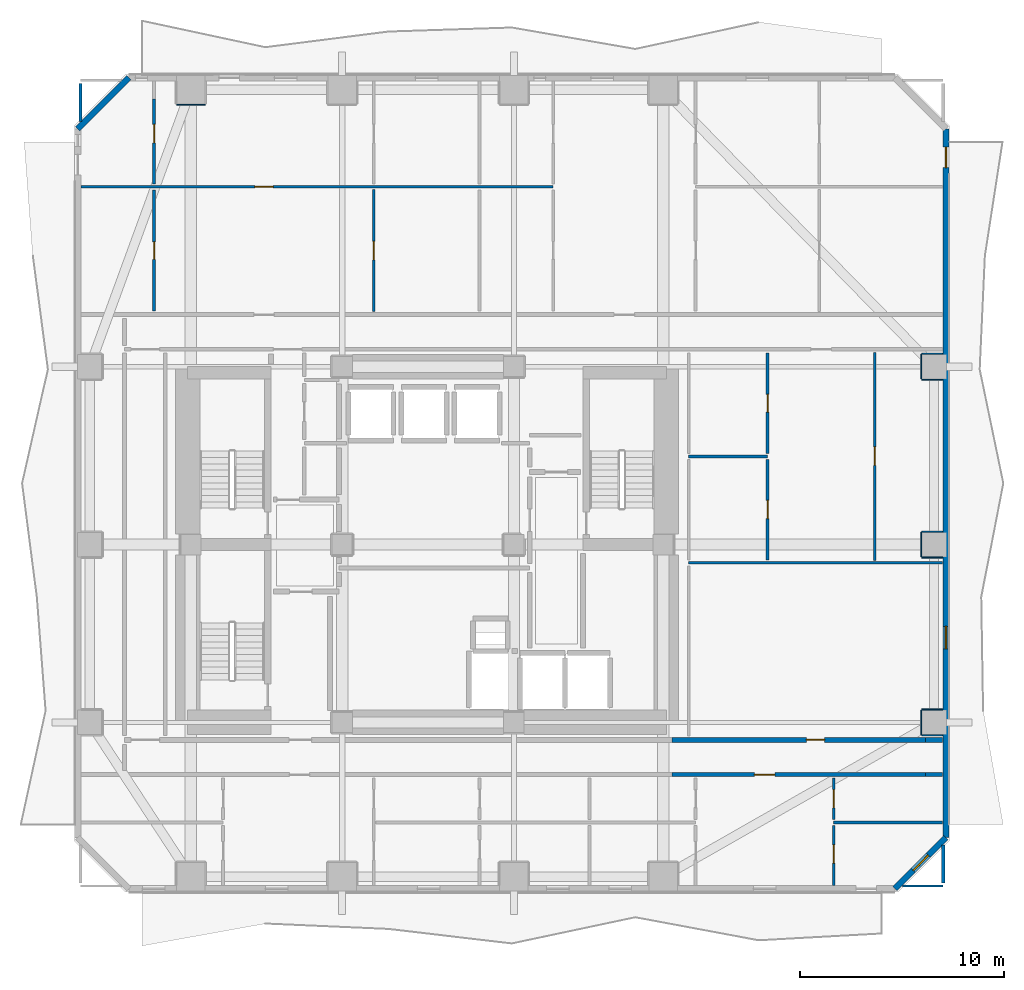
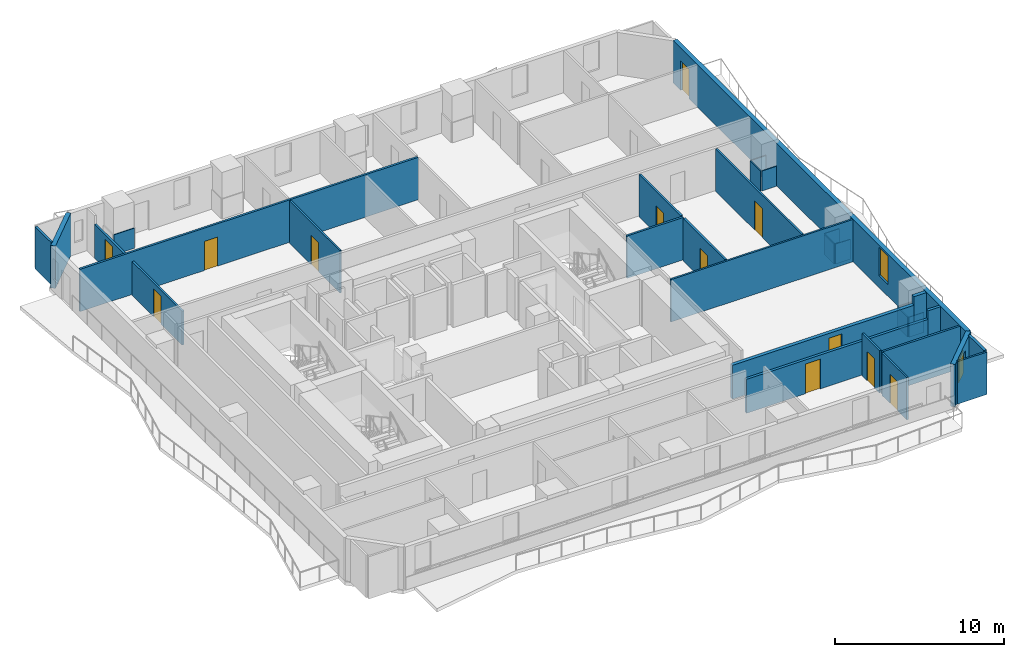
# One storey, part 5 of 11: 32 walls, 12 doors, 2 windows, 14 openings.
"""IFC4 building model written with IfcOpenShell, lengths in metres."""

from ifc_helpers import new_model, si_unit, direction, frame, frame_2d, origin, place, context, subcontext, project, spatial, rectangle, extrude, material, layer, layer_set, type_object, element, fill, save


model = new_model("IFC4")

# Units and contexts
model_context = context("Model", 3, precision=1e-05, world=origin(), true_north=direction((0.0, 1.0)))
body_context = subcontext(model_context, "Body", "Model", "MODEL_VIEW")
ifc_project = project(units=[si_unit("LENGTHUNIT", "METRE"), si_unit("AREAUNIT", "SQUARE_METRE"), si_unit("VOLUMEUNIT", "CUBIC_METRE"), si_unit("PLANEANGLEUNIT", "RADIAN"), si_unit("MASSUNIT", "GRAM", prefix="KILO")], contexts=[model_context])

# Site, building, storey
site_placement = place(None, origin())
site = spatial("IfcSite", under=ifc_project, at=site_placement, CompositionType="ELEMENT")
building_placement = place(site_placement, origin())
building = spatial("IfcBuilding", under=site, at=building_placement, Name="Solanera Arch Residences", CompositionType="ELEMENT")
storey_placement = place(building_placement, frame((0.0, 0.0, 75.1201171875)))
storey = spatial("IfcBuildingStorey", under=building, at=storey_placement, Name="L21", CompositionType="ELEMENT", Elevation=75.1201171875)

# Walls
ifc_material_1 = material(Name="Fire-Rated Gypsum Stud Partition", Category="gypsum")
ifc_layer_1 = layer(ifc_material_1, 0.06005859375)
ifc_layer_set_1 = layer_set([ifc_layer_1], Name="Fire-Rated Gypsum Stud Partition")
wall_type_1 = type_object("IfcWallType", Name="Column Acoustic Furring Wall 60", PredefinedType="PARTITIONING", material=ifc_layer_set_1)
wall_1_placement = place(storey_placement, frame((12.699951171875, 52.218017578125, 0.0), z_axis=(0.0, 0.0, 1.0), x_axis=(1.0, 0.0, 0.0)))
element("IfcWall", 1, at=wall_1_placement, inside=storey, type_object=wall_type_1, Name="L21 Column Furring 10S", PredefinedType="PARTITIONING", context=body_context, shape_type="SweptSolid", body=[
    extrude(rectangle(XDim=1.400146484375, YDim=0.06005859375, at=frame_2d((0.7001953125, 0.0))), origin(), (0.0, 0.0, 1.0), 1.449951171875),
])
for number, where, z_axis, x_axis, name in (
    (2, (49.14990234375, 21.367919921875, 0.0), (0.0, 0.0, 1.0), (1.0, 0.0, 0.0), "L21 Column Furring 18S"),
    (3, (49.14990234375, 22.632080078125, 0.0), (0.0, 0.0, 1.0), (1.0, 0.0, 0.0), "L21 Column Furring 18N"),
):
    element("IfcWall", number, at=place(storey_placement, frame(where, z_axis=z_axis, x_axis=x_axis)), inside=storey, type_object=wall_type_1, Name=name, PredefinedType="PARTITIONING", context=body_context, shape_type="SweptSolid", body=[
        extrude(rectangle(XDim=1.02001953125, YDim=0.06005859375, at=frame_2d((0.510009765625, 0.0))), origin(), (0.0, 0.0, 1.0), 1.449951171875),
    ])
wall_2_placement = place(storey_placement, frame((49.117919921875, 21.39990234375, 0.0), z_axis=(0.0, 0.0, 1.0), x_axis=(0.0, 1.0, 0.0)))
element("IfcWall", 4, at=wall_2_placement, inside=storey, type_object=wall_type_1, Name="L21 Column Furring 18W", PredefinedType="PARTITIONING", context=body_context, shape_type="SweptSolid", body=[
    extrude(rectangle(XDim=1.2001953125, YDim=0.06005859375, at=frame_2d((0.60009765625, 0.0))), origin(), (0.0, 0.0, 1.0), 1.449951171875),
])
for number, where, z_axis, x_axis, name in (
    (5, (49.14990234375, 30.068115234375, 0.0), (0.0, 0.0, 1.0), (1.0, 0.0, 0.0), "L21 Column Furring 20S"),
    (6, (49.14990234375, 31.33203125, 0.0), (0.0, 0.0, 1.0), (1.0, 0.0, 0.0), "L21 Column Furring 20N"),
):
    element("IfcWall", number, at=place(storey_placement, frame(where, z_axis=z_axis, x_axis=x_axis)), inside=storey, type_object=wall_type_1, Name=name, PredefinedType="PARTITIONING", context=body_context, shape_type="SweptSolid", body=[
        extrude(rectangle(XDim=1.02001953125, YDim=0.06005859375, at=frame_2d((0.510009765625, 0.0))), origin(), (0.0, 0.0, 1.0), 1.449951171875),
    ])
wall_3_placement = place(storey_placement, frame((49.117919921875, 30.10009765625, 0.0), z_axis=(0.0, 0.0, 1.0), x_axis=(0.0, 1.0, 0.0)))
element("IfcWall", 7, at=wall_3_placement, inside=storey, type_object=wall_type_1, Name="L21 Column Furring 20W", PredefinedType="PARTITIONING", context=body_context, shape_type="SweptSolid", body=[
    extrude(rectangle(XDim=1.199951171875, YDim=0.06005859375, at=frame_2d((0.60009765625, 0.0))), origin(), (0.0, 0.0, 1.0), 1.449951171875),
])
for number, where, z_axis, x_axis, name in (
    (8, (49.14990234375, 38.76806640625, 0.0), (0.0, 0.0, 1.0), (1.0, 0.0, 0.0), "L21 Column Furring 22S"),
    (9, (49.14990234375, 40.031982421875, 0.0), (0.0, 0.0, 1.0), (1.0, 0.0, 0.0), "L21 Column Furring 22N"),
):
    element("IfcWall", number, at=place(storey_placement, frame(where, z_axis=z_axis, x_axis=x_axis)), inside=storey, type_object=wall_type_1, Name=name, PredefinedType="PARTITIONING", context=body_context, shape_type="SweptSolid", body=[
        extrude(rectangle(XDim=1.02001953125, YDim=0.06005859375, at=frame_2d((0.510009765625, 0.0))), origin(), (0.0, 0.0, 1.0), 1.449951171875),
    ])
wall_4_placement = place(storey_placement, frame((49.117919921875, 38.800048828125, 0.0), z_axis=(0.0, 0.0, 1.0), x_axis=(0.0, 1.0, 0.0)))
element("IfcWall", 10, at=wall_4_placement, inside=storey, type_object=wall_type_1, Name="L21 Column Furring 22W", PredefinedType="PARTITIONING", context=body_context, shape_type="SweptSolid", body=[
    extrude(rectangle(XDim=1.199951171875, YDim=0.06005859375, at=frame_2d((0.60009765625, 0.0))), origin(), (0.0, 0.0, 1.0), 1.449951171875),
])

# Wall, opening, door
ifc_material_2 = material(Name="Autoclaved Aerated Concrete Blockwork", Category="masonry")
ifc_layer_2 = layer(ifc_material_2, 0.179931640625)
ifc_layer_set_2 = layer_set([ifc_layer_2], Name="Autoclaved Aerated Concrete Blockwork")
wall_type_2 = type_object("IfcWallType", Name="Corridor Fire Partition 180", PredefinedType="PARTITIONING", material=ifc_layer_set_2)
wall_5_placement = place(storey_placement, frame((36.928955078125, 19.449951171875, 0.0), z_axis=(0.0, 0.0, 1.0), x_axis=(1.0, 0.0, 0.0)))
wall_5 = element("IfcWall", 11, at=wall_5_placement, inside=storey, type_object=wall_type_2, Name="L21 Interior Partition H6 2", PredefinedType="PARTITIONING", context=body_context, shape_type="SweptSolid", body=[
    extrude(rectangle(XDim=12.39208984375, YDim=0.179931640625, at=frame_2d((6.196044921875, 0.0))), origin(), (0.0, 0.0, 1.0), 2.44482421875),
])
opening_1_placement = place(wall_5_placement, frame((4.031005859375, 0.0, 0.0)))
opening_1 = element("IfcOpeningElement", 12, at=opening_1_placement, cuts=wall_5, Name="Opening DI-01", PredefinedType="OPENING", context=body_context, shape_type="SweptSolid", body=[
    extrude(rectangle(XDim=1.0, YDim=2.14990234375, at=frame_2d((0.5, 1.074951171875))), frame((0.0, 0.10009765625, 0.0), z_axis=(0.0, -1.0, 0.0), x_axis=(1.0, 0.0, 0.0)), (0.0, 0.0, 1.0), 0.1999),
])
ifc_material_3 = material(Name="Fire-Rated Architectural Hardwood", Category="wood")
door_type_1 = type_object("IfcDoorType", Name="Unit Entrance Fire Door DI-01", OperationType="NOTDEFINED", PredefinedType="DOOR", material=ifc_material_3)
door_1_placement = place(opening_1_placement, origin())
door_1 = element("IfcDoor", 13, at=door_1_placement, inside=storey, type_object=door_type_1, Name="DR-L21-IN-020", OperationType="SINGLE_SWING_RIGHT", OverallHeight=2.14990234375, OverallWidth=1.0, PredefinedType="DOOR", context=body_context, shape_type="SweptSolid", body=[
    extrude(rectangle(XDim=1.0, YDim=2.14990234375, at=frame_2d((0.5, 1.074951171875))), frame((0.0, 0.02490234375, 0.0), z_axis=(0.0, -1.0, 0.0), x_axis=(1.0, 0.0, 0.0)), (0.0, 0.0, 1.0), 0.050048828125),
])
fill(opening_1, door_1)

# Walls
wall_6_placement = place(storey_placement, frame((49.321044921875, 19.449951171875, 0.0), z_axis=(0.0, 0.0, 1.0), x_axis=(1.0, 0.0, 0.0)))
element("IfcWall", 14, at=wall_6_placement, inside=storey, type_object=wall_type_2, Name="L21 Interior Partition H6 3", PredefinedType="PARTITIONING", context=body_context, shape_type="SweptSolid", body=[
    extrude(rectangle(XDim=0.85205078125, YDim=0.179931640625, at=frame_2d((0.426025390625, 0.0))), origin(), (0.0, 0.0, 1.0), 3.059814453125),
])
wall_7_placement = place(storey_placement, frame((50.199951171875, 14.157958984375, 0.0), z_axis=(0.0, 0.0, 1.0), x_axis=(0.0, 1.0, 0.0)))
element("IfcWall", 15, at=wall_7_placement, inside=storey, type_object=wall_type_2, Name="L21 Interior Partition V9 1", PredefinedType="PARTITIONING", context=body_context, shape_type="SweptSolid", body=[
    extrude(rectangle(XDim=1.843017578125, YDim=0.179931640625, at=frame_2d((0.92138671875, 0.0))), origin(), (0.0, 0.0, 1.0), 3.059814453125),
])
ifc_material_4 = material(Name="Precast Concrete C35/45", Category="concrete")
ifc_layer_3 = layer(ifc_material_4, 0.300048828125)
ifc_layer_set_3 = layer_set([ifc_layer_3], Name="Precast Concrete C35/45")
wall_type_3 = type_object("IfcWallType", Name="Exterior Wall Precast Masonry-Frame 300", PredefinedType="STANDARD", material=ifc_layer_set_3)
wall_8_placement = place(storey_placement, frame((7.864990234375, 51.034912109375, 0.0), z_axis=(0.0, 0.0, 1.0), x_axis=(0.707106781187, 0.707106781187, 0.0)))
element("IfcWall", 16, at=wall_8_placement, inside=storey, type_object=wall_type_3, Name="L21 Tower Exterior Precast Masonry-Frame Wall CH1", PredefinedType="STANDARD", context=body_context, shape_type="SweptSolid", body=[
    extrude(rectangle(XDim=3.53564453125, YDim=0.300048828125, at=frame_2d((1.767822265625, 0.0))), origin(), (0.0, 0.0, 1.0), 3.059814453125),
])

# Wall, openings, door, window
wall_9_placement = place(storey_placement, frame((50.3349609375, 51.034912109375, 0.0), z_axis=(0.0, 0.0, 1.0), x_axis=(0.0, -1.0, 0.0)))
wall_9 = element("IfcWall", 17, at=wall_9_placement, inside=storey, type_object=wall_type_3, Name="L21 Tower Exterior Precast Masonry-Frame Wall E", PredefinedType="STANDARD", context=body_context, shape_type="SweptSolid", body=[
    extrude(rectangle(XDim=34.669921875, YDim=0.300048828125, at=frame_2d((17.3349609375, 0.0))), origin(), (0.0, 0.0, 1.0), 3.059814453125),
])
opening_2_placement = place(wall_9_placement, frame((0.90087890625, 0.0, 0.0)))
opening_2 = element("IfcOpeningElement", 18, at=opening_2_placement, cuts=wall_9, Name="Opening DB-01", PredefinedType="OPENING", context=body_context, shape_type="SweptSolid", body=[
    extrude(rectangle(XDim=1.0, YDim=2.14990234375, at=frame_2d((0.5, 1.074951171875))), frame((0.0, 0.159912109375, 0.0), z_axis=(0.0, -1.0, 0.0), x_axis=(1.0, 0.0, 0.0)), (0.0, 0.0, 1.0), 0.32),
])
opening_3_placement = place(wall_9_placement, frame((24.3349609375, 0.0, 0.85009765625)))
opening_3 = element("IfcOpeningElement", 19, at=opening_3_placement, cuts=wall_9, Name="Opening W-11", PredefinedType="OPENING", context=body_context, shape_type="SweptSolid", body=[
    extrude(rectangle(XDim=1.10009765625, YDim=2.050048828125, at=frame_2d((0.550048828125, 1.02490234375))), frame((0.0, 0.159912109375, 0.0), z_axis=(0.0, -1.0, 0.0), x_axis=(1.0, 0.0, 0.0)), (0.0, 0.0, 1.0), 0.32),
])
ifc_material_5 = material(Name="Anodised Aluminium Alloy 6063-T6", Category="aluminium")
door_type_2 = type_object("IfcDoorType", Name="Glazed Balcony Swing Door DB-01", OperationType="NOTDEFINED", PredefinedType="DOOR", material=ifc_material_5)
door_2_placement = place(opening_2_placement, origin())
door_2 = element("IfcDoor", 20, at=door_2_placement, inside=storey, type_object=door_type_2, Name="DR-L21-OUT-03", OperationType="SINGLE_SWING_LEFT", OverallHeight=2.14990234375, OverallWidth=1.0, PredefinedType="DOOR", context=body_context, shape_type="SweptSolid", body=[
    extrude(rectangle(XDim=1.0, YDim=2.14990234375, at=frame_2d((0.5, 1.074951171875))), frame((0.0, 0.02490234375, 0.0), z_axis=(0.0, -1.0, 0.0), x_axis=(1.0, 0.0, 0.0)), (0.0, 0.0, 1.0), 0.050048828125),
])
fill(opening_2, door_2)
ifc_material_6 = material(Name="Double Glazed Low-E Laminated Glass", Category="glass")
window_type_1 = type_object("IfcWindowType", Name="Punched Window W-11", PartitioningType="SINGLE_PANEL", PredefinedType="WINDOW", material=ifc_material_6)
window_1_placement = place(opening_3_placement, origin())
window_1 = element("IfcWindow", 21, at=window_1_placement, inside=storey, type_object=window_type_1, Name="L21 AMN-STDE Punched Window", OverallHeight=2.050048828125, OverallWidth=1.10009765625, PartitioningType="SINGLE_PANEL", PredefinedType="WINDOW", context=body_context, shape_type="SweptSolid", body=[
    extrude(rectangle(XDim=1.10009765625, YDim=2.050048828125, at=frame_2d((0.550048828125, 1.02490234375))), frame((0.0, 0.030029296875, 0.0), z_axis=(0.0, -1.0, 0.0), x_axis=(1.0, 0.0, 0.0)), (0.0, 0.0, 1.0), 0.06005859375),
])
fill(opening_3, window_1)

# Wall, opening, window
wall_10_placement = place(storey_placement, frame((50.3349609375, 16.364990234375, 0.0), z_axis=(0.0, 0.0, 1.0), x_axis=(-0.707106781187, -0.707106781187, 0.0)))
wall_10 = element("IfcWall", 22, at=wall_10_placement, inside=storey, type_object=wall_type_3, Name="L21 Tower Exterior Precast Masonry-Frame Wall CH5", PredefinedType="STANDARD", context=body_context, shape_type="SweptSolid", body=[
    extrude(rectangle(XDim=3.53564453125, YDim=0.300048828125, at=frame_2d((1.767822265625, 0.0))), origin(), (0.0, 0.0, 1.0), 3.059814453125),
])
opening_4_placement = place(wall_10_placement, frame((1.219970703125, 0.0, 0.85009765625)))
opening_4 = element("IfcOpeningElement", 23, at=opening_4_placement, cuts=wall_10, Name="Opening W-07", PredefinedType="OPENING", context=body_context, shape_type="SweptSolid", body=[
    extrude(rectangle(XDim=1.050048828125, YDim=1.64990234375, at=frame_2d((0.52490234375, 0.824951171875))), frame((0.0, 0.159912109375, 0.0), z_axis=(0.0, -1.0, 0.0), x_axis=(1.0, 0.0, 0.0)), (0.0, 0.0, 1.0), 0.32),
])
ifc_material_7 = material(Name="Double Glazed Low-E Laminated Glass", Category="glass")
window_type_2 = type_object("IfcWindowType", Name="Punched Window W-07", PartitioningType="SINGLE_PANEL", PredefinedType="WINDOW", material=ifc_material_7)
window_2_placement = place(opening_4_placement, origin())
window_2 = element("IfcWindow", 24, at=window_2_placement, inside=storey, type_object=window_type_2, Name="L21 2102-BR2 Corner Punched Window", OverallHeight=1.64990234375, OverallWidth=1.050048828125, PartitioningType="SINGLE_PANEL", PredefinedType="WINDOW", context=body_context, shape_type="SweptSolid", body=[
    extrude(rectangle(XDim=1.050048828125, YDim=1.64990234375, at=frame_2d((0.52490234375, 0.824951171875))), frame((0.0, 0.030029296875, 0.0), z_axis=(0.0, -1.0, 0.0), x_axis=(1.0, 0.0, 0.0)), (0.0, 0.0, 1.0), 0.06005859375),
])
fill(opening_4, window_2)

# Wall, opening, door
ifc_material_8 = material(Name="Autoclaved Aerated Concrete Blockwork", Category="masonry")
ifc_layer_4 = layer(ifc_material_8, 0.239990234375)
ifc_layer_set_4 = layer_set([ifc_layer_4], Name="Autoclaved Aerated Concrete Blockwork")
wall_type_4 = type_object("IfcWallType", Name="Shaft Wall Fire-Rated 240", PredefinedType="PARTITIONING", material=ifc_layer_set_4)
wall_11_placement = place(storey_placement, frame((36.928955078125, 21.14990234375, 0.0), z_axis=(0.0, 0.0, 1.0), x_axis=(1.0, 0.0, 0.0)))
wall_11 = element("IfcWall", 25, at=wall_11_placement, inside=storey, type_object=wall_type_4, Name="L21 Interior Partition H1 2", PredefinedType="PARTITIONING", context=body_context, shape_type="SweptSolid", body=[
    extrude(rectangle(XDim=12.39208984375, YDim=0.239990234375, at=frame_2d((6.196044921875, 0.0))), origin(), (0.0, 0.0, 1.0), 2.44482421875),
])
opening_5_placement = place(wall_11_placement, frame((6.572021484375, 0.0, 0.0)))
opening_5 = element("IfcOpeningElement", 26, at=opening_5_placement, cuts=wall_11, Name="Opening DI-02", PredefinedType="OPENING", context=body_context, shape_type="SweptSolid", body=[
    extrude(rectangle(XDim=0.89990234375, YDim=2.10009765625, at=frame_2d((0.449951171875, 1.050048828125))), frame((0.0, 0.1298828125, 0.0), z_axis=(0.0, -1.0, 0.0), x_axis=(1.0, 0.0, 0.0)), (0.0, 0.0, 1.0), 0.26),
])
ifc_material_9 = material(Name="Fire-Rated Architectural Hardwood", Category="wood")
door_type_3 = type_object("IfcDoorType", Name="Suite Room Swing Door DI-02", OperationType="NOTDEFINED", PredefinedType="DOOR", material=ifc_material_9)
door_3_placement = place(opening_5_placement, origin())
door_3 = element("IfcDoor", 27, at=door_3_placement, inside=storey, type_object=door_type_3, Name="DR-L21-IN-038", OperationType="SINGLE_SWING_RIGHT", OverallHeight=2.10009765625, OverallWidth=0.89990234375, PredefinedType="DOOR", context=body_context, shape_type="SweptSolid", body=[
    extrude(rectangle(XDim=0.89990234375, YDim=2.10009765625, at=frame_2d((0.449951171875, 1.050048828125))), frame((0.0, 0.02490234375, 0.0), z_axis=(0.0, -1.0, 0.0), x_axis=(1.0, 0.0, 0.0)), (0.0, 0.0, 1.0), 0.050048828125),
])
fill(opening_5, door_3)

# Walls
wall_12_placement = place(storey_placement, frame((49.321044921875, 21.14990234375, 0.0), z_axis=(0.0, 0.0, 1.0), x_axis=(1.0, 0.0, 0.0)))
element("IfcWall", 28, at=wall_12_placement, inside=storey, type_object=wall_type_4, Name="L21 Interior Partition H1 3", PredefinedType="PARTITIONING", context=body_context, shape_type="SweptSolid", body=[
    extrude(rectangle(XDim=0.85205078125, YDim=0.239990234375, at=frame_2d((0.426025390625, 0.0))), origin(), (0.0, 0.0, 1.0), 3.059814453125),
])
ifc_material_10 = material(Name="Fire-Rated Gypsum Stud Partition", Category="gypsum")
ifc_layer_5 = layer(ifc_material_10, 0.1201171875)
ifc_layer_set_5 = layer_set([ifc_layer_5], Name="Fire-Rated Gypsum Stud Partition")
wall_type_5 = type_object("IfcWallType", Name="Unit Drywall Partition 120", PredefinedType="PARTITIONING", material=ifc_layer_set_5)
wall_13_placement = place(storey_placement, frame((48.198974609375, 14.0, 0.0), z_axis=(0.0, 0.0, 1.0), x_axis=(1.0, 0.0, 0.0)))
element("IfcWall", 29, at=wall_13_placement, inside=storey, type_object=wall_type_5, Name="L21 Interior Partition H19 2", PredefinedType="PARTITIONING", context=body_context, shape_type="SweptSolid", body=[
    extrude(rectangle(XDim=2.0009765625, YDim=0.1201171875, at=frame_2d((1.00048828125, 0.0))), origin(), (0.0, 0.0, 1.0), 3.059814453125),
])
wall_14_placement = place(storey_placement, frame((37.75, 29.800048828125, 0.0), z_axis=(0.0, 0.0, 1.0), x_axis=(1.0, 0.0, 0.0)))
element("IfcWall", 30, at=wall_14_placement, inside=storey, type_object=wall_type_5, Name="L21 Interior Partition H20", PredefinedType="PARTITIONING", context=body_context, shape_type="SweptSolid", body=[
    extrude(rectangle(XDim=12.423095703125, YDim=0.1201171875, at=frame_2d((6.21142578125, 0.0))), origin(), (0.0, 0.0, 1.0), 3.059814453125),
])

# Wall, opening, door
wall_15_placement = place(storey_placement, frame((22.35205078125, 42.10791015625, 0.0), z_axis=(0.0, 0.0, 1.0), x_axis=(0.0, 1.0, 0.0)))
wall_15 = element("IfcWall", 31, at=wall_15_placement, inside=storey, type_object=wall_type_5, Name="L21 Interior Partition V23 1", PredefinedType="PARTITIONING", context=body_context, shape_type="SweptSolid", body=[
    extrude(rectangle(XDim=5.9541015625, YDim=0.1201171875, at=frame_2d((2.97705078125, 0.0))), origin(), (0.0, 0.0, 1.0), 3.059814453125),
])
opening_6_placement = place(wall_15_placement, frame((2.51708984375, 0.0, 0.0)))
opening_6 = element("IfcOpeningElement", 32, at=opening_6_placement, cuts=wall_15, Name="Opening DI-02", PredefinedType="OPENING", context=body_context, shape_type="SweptSolid", body=[
    extrude(rectangle(XDim=0.89990234375, YDim=2.10009765625, at=frame_2d((0.449951171875, 1.050048828125))), frame((0.0, 0.070068359375, 0.0), z_axis=(0.0, -1.0, 0.0), x_axis=(1.0, 0.0, 0.0)), (0.0, 0.0, 1.0), 0.1401),
])
door_4_placement = place(opening_6_placement, origin())
door_4 = element("IfcDoor", 33, at=door_4_placement, inside=storey, type_object=door_type_3, Name="DR-L21-IN-029", OperationType="SINGLE_SWING_LEFT", OverallHeight=2.10009765625, OverallWidth=0.89990234375, PredefinedType="DOOR", context=body_context, shape_type="SweptSolid", body=[
    extrude(rectangle(XDim=0.89990234375, YDim=2.10009765625, at=frame_2d((0.449951171875, 1.050048828125))), frame((0.0, 0.02490234375, 0.0), z_axis=(0.0, -1.0, 0.0), x_axis=(1.0, 0.0, 0.0)), (0.0, 0.0, 1.0), 0.050048828125),
])
fill(opening_6, door_4)

wall_16_placement = place(storey_placement, frame((44.8349609375, 14.027099609375, 0.0), z_axis=(0.0, 0.0, 1.0), x_axis=(0.0, 1.0, 0.0)))
wall_16 = element("IfcWall", 34, at=wall_16_placement, inside=storey, type_object=wall_type_5, Name="L21 Interior Partition V25 1", PredefinedType="PARTITIONING", context=body_context, shape_type="SweptSolid", body=[
    extrude(rectangle(XDim=2.94189453125, YDim=0.1201171875, at=frame_2d((1.470947265625, 0.0))), origin(), (0.0, 0.0, 1.0), 3.059814453125),
])
opening_7_placement = place(wall_16_placement, frame((1.089111328125, 0.0, 0.0)))
opening_7 = element("IfcOpeningElement", 35, at=opening_7_placement, cuts=wall_16, Name="Opening DI-03", PredefinedType="OPENING", context=body_context, shape_type="SweptSolid", body=[
    extrude(rectangle(XDim=0.89990234375, YDim=2.10009765625, at=frame_2d((0.449951171875, 1.050048828125))), frame((0.0, 0.070068359375, 0.0), z_axis=(0.0, -1.0, 0.0), x_axis=(1.0, 0.0, 0.0)), (0.0, 0.0, 1.0), 0.1401),
])
ifc_material_11 = material(Name="Fire-Rated Architectural Hardwood", Category="wood")
door_type_4 = type_object("IfcDoorType", Name="Bedroom Swing Door DI-03", OperationType="NOTDEFINED", PredefinedType="DOOR", material=ifc_material_11)
door_5_placement = place(opening_7_placement, origin())
door_5 = element("IfcDoor", 36, at=door_5_placement, inside=storey, type_object=door_type_4, Name="DR-L21-IN-024", OperationType="SINGLE_SWING_RIGHT", OverallHeight=2.10009765625, OverallWidth=0.89990234375, PredefinedType="DOOR", context=body_context, shape_type="SweptSolid", body=[
    extrude(rectangle(XDim=0.89990234375, YDim=2.10009765625, at=frame_2d((0.449951171875, 1.050048828125))), frame((0.0, 0.02490234375, 0.0), z_axis=(0.0, -1.0, 0.0), x_axis=(1.0, 0.0, 0.0)), (0.0, 0.0, 1.0), 0.050048828125),
])
fill(opening_7, door_5)

wall_17_placement = place(storey_placement, frame((44.8349609375, 17.2451171875, 0.0), z_axis=(0.0, 0.0, 1.0), x_axis=(0.0, 1.0, 0.0)))
wall_17 = element("IfcWall", 37, at=wall_17_placement, inside=storey, type_object=wall_type_5, Name="L21 Interior Partition V25 2", PredefinedType="PARTITIONING", context=body_context, shape_type="SweptSolid", body=[
    extrude(rectangle(XDim=2.046875, YDim=0.1201171875, at=frame_2d((1.0234375, 0.0))), origin(), (0.0, 0.0, 1.0), 3.059814453125),
])
opening_8_placement = place(wall_17_placement, frame((0.571044921875, 0.0, 0.0)))
opening_8 = element("IfcOpeningElement", 38, at=opening_8_placement, cuts=wall_17, Name="Opening DI-02", PredefinedType="OPENING", context=body_context, shape_type="SweptSolid", body=[
    extrude(rectangle(XDim=0.89990234375, YDim=2.10009765625, at=frame_2d((0.449951171875, 1.050048828125))), frame((0.0, 0.070068359375, 0.0), z_axis=(0.0, -1.0, 0.0), x_axis=(1.0, 0.0, 0.0)), (0.0, 0.0, 1.0), 0.1401),
])
door_6_placement = place(opening_8_placement, origin())
door_6 = element("IfcDoor", 39, at=door_6_placement, inside=storey, type_object=door_type_3, Name="DR-L21-IN-023", OperationType="SINGLE_SWING_LEFT", OverallHeight=2.10009765625, OverallWidth=0.89990234375, PredefinedType="DOOR", context=body_context, shape_type="SweptSolid", body=[
    extrude(rectangle(XDim=0.89990234375, YDim=2.10009765625, at=frame_2d((0.449951171875, 1.050048828125))), frame((0.0, 0.02490234375, 0.0), z_axis=(0.0, -1.0, 0.0), x_axis=(1.0, 0.0, 0.0)), (0.0, 0.0, 1.0), 0.050048828125),
])
fill(opening_8, door_6)

wall_18_placement = place(storey_placement, frame((46.839111328125, 29.927978515625, 0.0), z_axis=(0.0, 0.0, 1.0), x_axis=(0.0, 1.0, 0.0)))
wall_18 = element("IfcWall", 40, at=wall_18_placement, inside=storey, type_object=wall_type_5, Name="L21 Interior Partition V26", PredefinedType="PARTITIONING", context=body_context, shape_type="SweptSolid", body=[
    extrude(rectangle(XDim=10.1640625, YDim=0.1201171875, at=frame_2d((5.08203125, 0.0))), origin(), (0.0, 0.0, 1.0), 3.059814453125),
])
opening_9_placement = place(wall_18_placement, frame((4.64697265625, 0.0, 0.0)))
opening_9 = element("IfcOpeningElement", 41, at=opening_9_placement, cuts=wall_18, Name="Opening DI-02", PredefinedType="OPENING", context=body_context, shape_type="SweptSolid", body=[
    extrude(rectangle(XDim=0.89990234375, YDim=2.10009765625, at=frame_2d((0.449951171875, 1.050048828125))), frame((0.0, 0.070068359375, 0.0), z_axis=(0.0, -1.0, 0.0), x_axis=(1.0, 0.0, 0.0)), (0.0, 0.0, 1.0), 0.1401),
])
door_7_placement = place(opening_9_placement, origin())
door_7 = element("IfcDoor", 42, at=door_7_placement, inside=storey, type_object=door_type_3, Name="DR-L21-IN-042", OperationType="SINGLE_SWING_RIGHT", OverallHeight=2.10009765625, OverallWidth=0.89990234375, PredefinedType="DOOR", context=body_context, shape_type="SweptSolid", body=[
    extrude(rectangle(XDim=0.89990234375, YDim=2.10009765625, at=frame_2d((0.449951171875, 1.050048828125))), frame((0.0, 0.02490234375, 0.0), z_axis=(0.0, -1.0, 0.0), x_axis=(1.0, 0.0, 0.0)), (0.0, 0.0, 1.0), 0.050048828125),
])
fill(opening_9, door_7)

# Walls
ifc_material_12 = material(Name="Autoclaved Aerated Concrete Blockwork", Category="masonry")
ifc_layer_6 = layer(ifc_material_12, 0.139892578125)
ifc_layer_set_6 = layer_set([ifc_layer_6], Name="Autoclaved Aerated Concrete Blockwork")
wall_type_6 = type_object("IfcWallType", Name="Wet-Room Partition 140", PredefinedType="PARTITIONING", material=ifc_layer_set_6)
wall_19_placement = place(storey_placement, frame((44.8349609375, 17.10693359375, 0.0), z_axis=(0.0, 0.0, 1.0), x_axis=(1.0, 0.0, 0.0)))
element("IfcWall", 43, at=wall_19_placement, inside=storey, type_object=wall_type_6, Name="L21 Interior Partition H14", PredefinedType="PARTITIONING", context=body_context, shape_type="SweptSolid", body=[
    extrude(rectangle(XDim=5.338134765625, YDim=0.139892578125, at=frame_2d((2.6689453125, 0.0))), origin(), (0.0, 0.0, 1.0), 3.059814453125),
])
wall_20_placement = place(storey_placement, frame((37.75, 35.0, 0.0), z_axis=(0.0, 0.0, 1.0), x_axis=(1.0, 0.0, 0.0)))
element("IfcWall", 44, at=wall_20_placement, inside=storey, type_object=wall_type_6, Name="L21 Interior Partition H15", PredefinedType="PARTITIONING", context=body_context, shape_type="SweptSolid", body=[
    extrude(rectangle(XDim=3.860107421875, YDim=0.139892578125, at=frame_2d((1.93017578125, 0.0))), origin(), (0.0, 0.0, 1.0), 3.059814453125),
])

# Wall, opening, door
wall_21_placement = place(storey_placement, frame((8.027099609375, 48.199951171875, 0.0), z_axis=(0.0, 0.0, 1.0), x_axis=(1.0, 0.0, 0.0)))
wall_21 = element("IfcWall", 45, at=wall_21_placement, inside=storey, type_object=wall_type_6, Name="L21 Interior Partition H17", PredefinedType="PARTITIONING", context=body_context, shape_type="SweptSolid", body=[
    extrude(rectangle(XDim=23.096923828125, YDim=0.139892578125, at=frame_2d((11.54833984375, 0.0))), origin(), (0.0, 0.0, 1.0), 3.059814453125),
])
opening_10_placement = place(wall_21_placement, frame((8.5009765625, 0.0, 0.0)))
opening_10 = element("IfcOpeningElement", 46, at=opening_10_placement, cuts=wall_21, Name="Opening DI-02", PredefinedType="OPENING", context=body_context, shape_type="SweptSolid", body=[
    extrude(rectangle(XDim=0.89990234375, YDim=2.10009765625, at=frame_2d((0.449951171875, 1.050048828125))), frame((0.0, 0.079833984375, 0.0), z_axis=(0.0, -1.0, 0.0), x_axis=(1.0, 0.0, 0.0)), (0.0, 0.0, 1.0), 0.1599),
])
door_8_placement = place(opening_10_placement, origin())
door_8 = element("IfcDoor", 47, at=door_8_placement, inside=storey, type_object=door_type_3, Name="DR-L21-IN-026", OperationType="SINGLE_SWING_RIGHT", OverallHeight=2.10009765625, OverallWidth=0.89990234375, PredefinedType="DOOR", context=body_context, shape_type="SweptSolid", body=[
    extrude(rectangle(XDim=0.89990234375, YDim=2.10009765625, at=frame_2d((0.449951171875, 1.050048828125))), frame((0.0, 0.02490234375, 0.0), z_axis=(0.0, -1.0, 0.0), x_axis=(1.0, 0.0, 0.0)), (0.0, 0.0, 1.0), 0.050048828125),
])
fill(opening_10, door_8)

# Wall
wall_22_placement = place(storey_placement, frame((8.0, 51.39892578125, 0.0), z_axis=(0.0, 0.0, 1.0), x_axis=(0.0, 1.0, 0.0)))
element("IfcWall", 48, at=wall_22_placement, inside=storey, type_object=wall_type_6, Name="L21 Interior Partition V11", PredefinedType="PARTITIONING", context=body_context, shape_type="SweptSolid", body=[
    extrude(rectangle(XDim=1.863037109375, YDim=0.139892578125, at=frame_2d((0.931640625, 0.0))), origin(), (0.0, 0.0, 1.0), 3.059814453125),
])

# Wall, opening, door
wall_23_placement = place(storey_placement, frame((11.60400390625, 42.117919921875, 0.0), z_axis=(0.0, 0.0, 1.0), x_axis=(0.0, 1.0, 0.0)))
wall_23 = element("IfcWall", 49, at=wall_23_placement, inside=storey, type_object=wall_type_6, Name="L21 Interior Partition V12 1", PredefinedType="PARTITIONING", context=body_context, shape_type="SweptSolid", body=[
    extrude(rectangle(XDim=5.93408203125, YDim=0.139892578125, at=frame_2d((2.967041015625, 0.0))), origin(), (0.0, 0.0, 1.0), 2.44482421875),
])
opening_11_placement = place(wall_23_placement, frame((2.527099609375, 0.0, 0.0)))
opening_11 = element("IfcOpeningElement", 50, at=opening_11_placement, cuts=wall_23, Name="Opening DI-05", PredefinedType="OPENING", context=body_context, shape_type="SweptSolid", body=[
    extrude(rectangle(XDim=0.860107421875, YDim=2.02001953125, at=frame_2d((0.43017578125, 1.010009765625))), frame((0.0, 0.079833984375, 0.0), z_axis=(0.0, -1.0, 0.0), x_axis=(1.0, 0.0, 0.0)), (0.0, 0.0, 1.0), 0.1599),
])
ifc_material_13 = material(Name="Fire-Rated Architectural Hardwood", Category="wood")
door_type_5 = type_object("IfcDoorType", Name="Bathroom Swing Door DI-05", OperationType="NOTDEFINED", PredefinedType="DOOR", material=ifc_material_13)
door_9_placement = place(opening_11_placement, origin())
door_9 = element("IfcDoor", 51, at=door_9_placement, inside=storey, type_object=door_type_5, Name="DR-L21-IN-027", OperationType="SINGLE_SWING_LEFT", OverallHeight=2.02001953125, OverallWidth=0.860107421875, PredefinedType="DOOR", context=body_context, shape_type="SweptSolid", body=[
    extrude(rectangle(XDim=0.860107421875, YDim=2.02001953125, at=frame_2d((0.43017578125, 1.010009765625))), frame((0.0, 0.02490234375, 0.0), z_axis=(0.0, -1.0, 0.0), x_axis=(1.0, 0.0, 0.0)), (0.0, 0.0, 1.0), 0.050048828125),
])
fill(opening_11, door_9)

wall_24_placement = place(storey_placement, frame((11.60400390625, 48.347900390625, 0.0), z_axis=(0.0, 0.0, 1.0), x_axis=(0.0, 1.0, 0.0)))
wall_24 = element("IfcWall", 52, at=wall_24_placement, inside=storey, type_object=wall_type_6, Name="L21 Interior Partition V12 2", PredefinedType="PARTITIONING", context=body_context, shape_type="SweptSolid", body=[
    extrude(rectangle(XDim=4.135009765625, YDim=0.139892578125, at=frame_2d((2.0673828125, 0.0))), origin(), (0.0, 0.0, 1.0), 2.44482421875),
])
opening_12_placement = place(wall_24_placement, frame((2.001953125, 0.0, 0.0)))
opening_12 = element("IfcOpeningElement", 53, at=opening_12_placement, cuts=wall_24, Name="Opening DI-03", PredefinedType="OPENING", context=body_context, shape_type="SweptSolid", body=[
    extrude(rectangle(XDim=0.89990234375, YDim=2.10009765625, at=frame_2d((0.449951171875, 1.050048828125))), frame((0.0, 0.079833984375, 0.0), z_axis=(0.0, -1.0, 0.0), x_axis=(1.0, 0.0, 0.0)), (0.0, 0.0, 1.0), 0.1599),
])
door_10_placement = place(opening_12_placement, origin())
door_10 = element("IfcDoor", 54, at=door_10_placement, inside=storey, type_object=door_type_4, Name="DR-L21-IN-028", OperationType="SINGLE_SWING_RIGHT", OverallHeight=2.10009765625, OverallWidth=0.89990234375, PredefinedType="DOOR", context=body_context, shape_type="SweptSolid", body=[
    extrude(rectangle(XDim=0.89990234375, YDim=2.10009765625, at=frame_2d((0.449951171875, 1.050048828125))), frame((0.0, 0.02490234375, 0.0), z_axis=(0.0, -1.0, 0.0), x_axis=(1.0, 0.0, 0.0)), (0.0, 0.0, 1.0), 0.050048828125),
])
fill(opening_12, door_10)

wall_25_placement = place(storey_placement, frame((41.610107421875, 29.93798828125, 0.0), z_axis=(0.0, 0.0, 1.0), x_axis=(0.0, 1.0, 0.0)))
wall_25 = element("IfcWall", 55, at=wall_25_placement, inside=storey, type_object=wall_type_6, Name="L21 Interior Partition V21 1", PredefinedType="PARTITIONING", context=body_context, shape_type="SweptSolid", body=[
    extrude(rectangle(XDim=4.9140625, YDim=0.139892578125, at=frame_2d((2.45703125, 0.0))), origin(), (0.0, 0.0, 1.0), 3.059814453125),
])
opening_13_placement = place(wall_25_placement, frame((2.02490234375, 0.0, 0.0)))
opening_13 = element("IfcOpeningElement", 56, at=opening_13_placement, cuts=wall_25, Name="Opening DI-03", PredefinedType="OPENING", context=body_context, shape_type="SweptSolid", body=[
    extrude(rectangle(XDim=0.89990234375, YDim=2.10009765625, at=frame_2d((0.449951171875, 1.050048828125))), frame((0.0, 0.079833984375, 0.0), z_axis=(0.0, -1.0, 0.0), x_axis=(1.0, 0.0, 0.0)), (0.0, 0.0, 1.0), 0.1599),
])
door_11_placement = place(opening_13_placement, origin())
door_11 = element("IfcDoor", 57, at=door_11_placement, inside=storey, type_object=door_type_4, Name="DR-L21-IN-041", OperationType="SINGLE_SWING_LEFT", OverallHeight=2.10009765625, OverallWidth=0.89990234375, PredefinedType="DOOR", context=body_context, shape_type="SweptSolid", body=[
    extrude(rectangle(XDim=0.89990234375, YDim=2.10009765625, at=frame_2d((0.449951171875, 1.050048828125))), frame((0.0, 0.02490234375, 0.0), z_axis=(0.0, -1.0, 0.0), x_axis=(1.0, 0.0, 0.0)), (0.0, 0.0, 1.0), 0.050048828125),
])
fill(opening_13, door_11)

wall_26_placement = place(storey_placement, frame((41.610107421875, 35.14794921875, 0.0), z_axis=(0.0, 0.0, 1.0), x_axis=(0.0, 1.0, 0.0)))
wall_26 = element("IfcWall", 58, at=wall_26_placement, inside=storey, type_object=wall_type_6, Name="L21 Interior Partition V21 2", PredefinedType="PARTITIONING", context=body_context, shape_type="SweptSolid", body=[
    extrude(rectangle(XDim=4.93408203125, YDim=0.139892578125, at=frame_2d((2.467041015625, 0.0))), origin(), (0.0, 0.0, 1.0), 3.059814453125),
])
opening_14_placement = place(wall_26_placement, frame((2.033935546875, 0.0, 0.0)))
opening_14 = element("IfcOpeningElement", 59, at=opening_14_placement, cuts=wall_26, Name="Opening DI-05", PredefinedType="OPENING", context=body_context, shape_type="SweptSolid", body=[
    extrude(rectangle(XDim=0.860107421875, YDim=2.02001953125, at=frame_2d((0.43017578125, 1.010009765625))), frame((0.0, 0.079833984375, 0.0), z_axis=(0.0, -1.0, 0.0), x_axis=(1.0, 0.0, 0.0)), (0.0, 0.0, 1.0), 0.1599),
])
door_12_placement = place(opening_14_placement, origin())
door_12 = element("IfcDoor", 60, at=door_12_placement, inside=storey, type_object=door_type_5, Name="DR-L21-IN-040", OperationType="SINGLE_SWING_RIGHT", OverallHeight=2.02001953125, OverallWidth=0.860107421875, PredefinedType="DOOR", context=body_context, shape_type="SweptSolid", body=[
    extrude(rectangle(XDim=0.860107421875, YDim=2.02001953125, at=frame_2d((0.43017578125, 1.010009765625))), frame((0.0, 0.02490234375, 0.0), z_axis=(0.0, -1.0, 0.0), x_axis=(1.0, 0.0, 0.0)), (0.0, 0.0, 1.0), 0.050048828125),
])
fill(opening_14, door_12)

save(model, "model.ifc")
